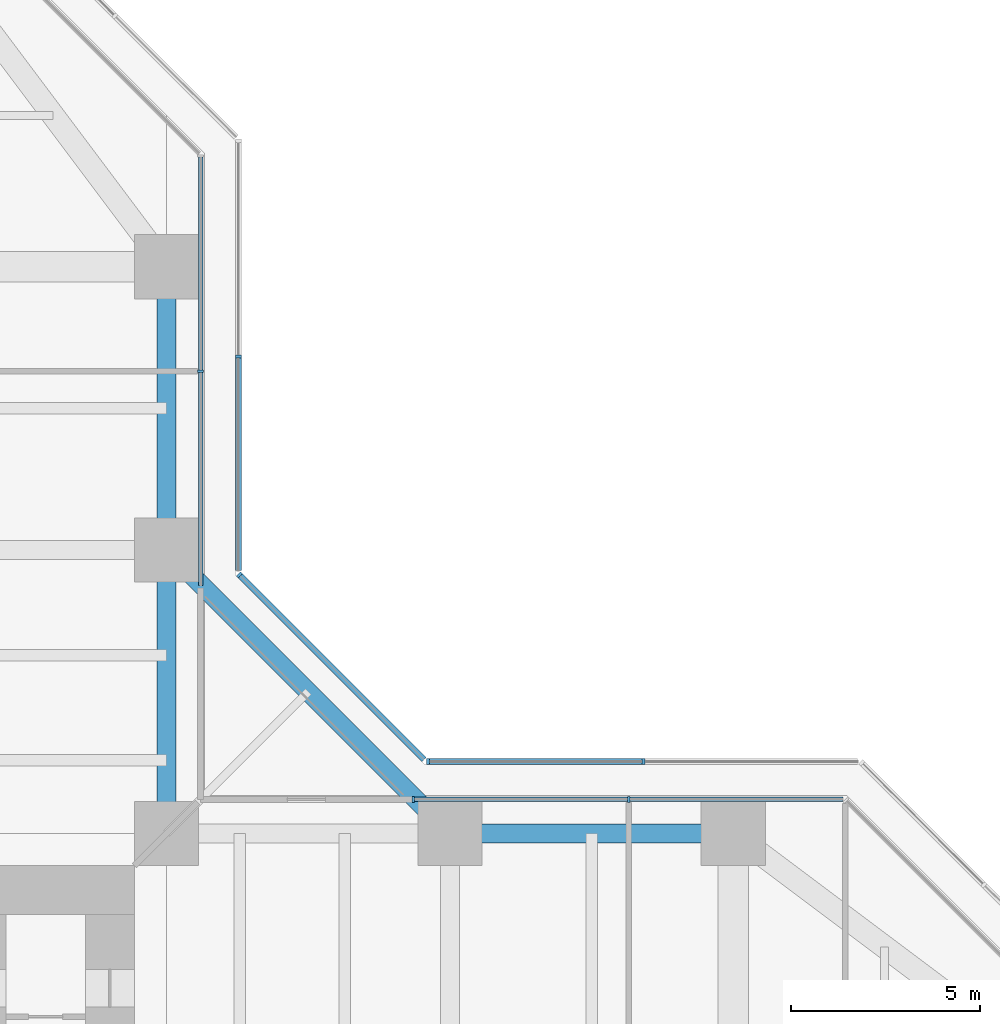
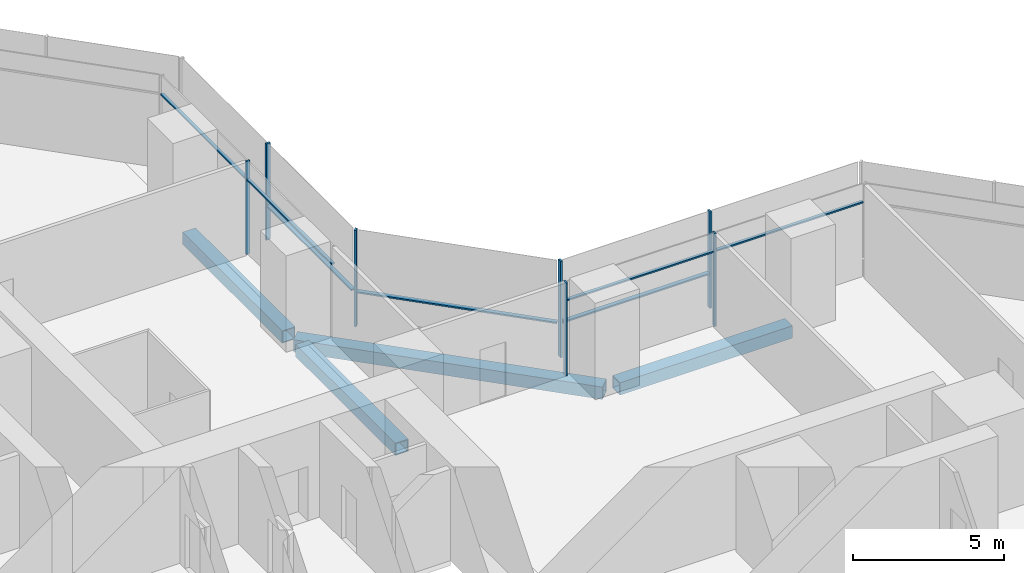
# One storey, part 11 of 22: 14 members, 4 beams, 5 elements without a shape of their own.
"""IFC4 building model written with IfcOpenShell, lengths in metres."""

from ifc_helpers import new_model, si_unit, direction, frame, origin, origin_2d, place, context, subcontext, project, spatial, rectangle, hollow_rectangle, extrude, material, material_profile, profile_set, type_object, element, aggregate, save


model = new_model("IFC4")

# Units and contexts
model_context = context("Model", 3, precision=1e-05, world=origin(), true_north=direction((0.0, 1.0)))
body_context = subcontext(model_context, "Body", "Model", "MODEL_VIEW")
ifc_project = project(units=[si_unit("LENGTHUNIT", "METRE"), si_unit("AREAUNIT", "SQUARE_METRE"), si_unit("VOLUMEUNIT", "CUBIC_METRE"), si_unit("PLANEANGLEUNIT", "RADIAN"), si_unit("MASSUNIT", "GRAM", prefix="KILO")], contexts=[model_context])

# Site, building, storey
site_placement = place(None, origin())
site = spatial("IfcSite", under=ifc_project, at=site_placement, CompositionType="ELEMENT")
building_placement = place(site_placement, origin())
building = spatial("IfcBuilding", under=site, at=building_placement, Name="Mizan Broadcast Tower", CompositionType="ELEMENT")
storey_placement = place(building_placement, frame((0.0, 0.0, 70.800048828125)))
storey = spatial("IfcBuildingStorey", under=building, at=storey_placement, Name="L14", CompositionType="ELEMENT", Elevation=70.800048828125)

# Beams
ifc_material_1 = material(Name="Steel S355", Category="steel")
ifc_material_profile_1 = material_profile(ifc_material_1, hollow_rectangle(XDim=0.5, YDim=0.5, WallThickness=0.030029296875, at=origin_2d()), Name="BOX 500x500x30")
ifc_profile_set_1 = profile_set([ifc_material_profile_1], Name="Steel S355")
beam_type = type_object("IfcBeamType", Name="EDGE BEAM BOX 500x500x30", PredefinedType="SPANDREL", material=ifc_profile_set_1)
for number, where, z_axis, x_axis, name in (
    (1, (19.949951171875, 12.0, -0.380126953125), (1.0, 0.0, 0.0), (0.0, 1.0, 0.0), "Edge beam BOX 500x500x30 L14 east arm"),
    (2, (12.0, 12.449951171875, -0.380126953125), (0.0, 1.0, 0.0), (-1.0, 0.0, 0.0), "Edge beam BOX 500x500x30 L14 north arm"),
    (3, (12.0, 19.949951171875, -0.380126953125), (0.0, 1.0, 0.0), (-1.0, 0.0, 0.0), "Edge beam BOX 500x500x30 L14 north arm"),
):
    element("IfcBeam", number, at=place(storey_placement, frame(where, z_axis=z_axis, x_axis=x_axis)), inside=storey, type_object=beam_type, Name=name, PredefinedType="SPANDREL", context=body_context, shape_type="SweptSolid", body=[
        extrude(hollow_rectangle(XDim=0.5, YDim=0.5, WallThickness=0.030029296875, at=origin_2d()), origin(), (0.0, 0.0, 1.0), 6.60009765625),
    ])
beam_placement = place(storey_placement, frame((19.5, 12.0, -0.380126953125), z_axis=(-0.707106781187, 0.707106781187, 0.0), x_axis=(-0.707106781187, -0.707106781187, 0.0)))
element("IfcBeam", 4, at=beam_placement, inside=storey, type_object=beam_type, Name="Winter garden edge beam L14 E", PredefinedType="SPANDREL", context=body_context, shape_type="SweptSolid", body=[
    extrude(hollow_rectangle(XDim=0.5, YDim=0.5, WallThickness=0.030029296875, at=origin_2d()), origin(), (0.0, 0.0, 1.0), 10.606689453125),
])

# Curtain wall, members
ifc_material_2 = material(Name="Aluminium framed glazing", Category="aluminium")
curtain_wall_type_1 = type_object("IfcCurtainWallType", Name="INNER SKIN LOW ZONE", PredefinedType="USERDEFINED", material=ifc_material_2)
curtain_wall_1_placement = place(storey_placement, origin())
curtain_wall_1 = element("IfcCurtainWall", 5, at=curtain_wall_1_placement, inside=storey, type_object=curtain_wall_type_1, Name="Inner skin low zone L14 E side", ObjectType="INNER SKIN LOW ZONE", PredefinedType="USERDEFINED")
ifc_material_3 = material(Name="Aluminium, pale anodised", Category="aluminium")
ifc_material_profile_2 = material_profile(ifc_material_3, rectangle(XDim=0.159912109375, YDim=0.06005859375, at=origin_2d()), Name="MULLION 160x60")
ifc_profile_set_2 = profile_set([ifc_material_profile_2], Name="Aluminium, pale anodised")
member_type_1 = type_object("IfcMemberType", Name="INNER SKIN MULLION 60x160", PredefinedType="MULLION", material=ifc_profile_set_2)
member_1_placement = place(storey_placement, frame((24.229248046875, 12.89990234375, 0.0), z_axis=(0.0, 0.0, 1.0), x_axis=(0.0, -1.0, 0.0)))
member_1 = element("IfcMember", 6, at=member_1_placement, type_object=member_type_1, Name="Inner skin low zone L14 E side mullion 2", PredefinedType="MULLION", context=body_context, shape_type="SweptSolid", body=[
    extrude(rectangle(XDim=0.159912109375, YDim=0.06005859375, at=origin_2d()), origin(), (0.0, 0.0, 1.0), 3.77001953125),
])
member_2_placement = place(storey_placement, frame((18.530029296875, 12.89990234375, 0.0), z_axis=(0.0, 0.0, 1.0), x_axis=(0.0, -1.0, 0.0)))
member_2 = element("IfcMember", 7, at=member_2_placement, type_object=member_type_1, Name="Inner skin low zone L14 E side mullion 3", PredefinedType="MULLION", context=body_context, shape_type="SweptSolid", body=[
    extrude(rectangle(XDim=0.159912109375, YDim=0.06005859375, at=origin_2d()), origin(), (0.0, 0.0, 1.0), 3.77001953125),
])

# Curtain wall, member
curtain_wall_2_placement = place(storey_placement, origin())
curtain_wall_2 = element("IfcCurtainWall", 8, at=curtain_wall_2_placement, inside=storey, type_object=curtain_wall_type_1, Name="Inner skin low zone L14 N side", ObjectType="INNER SKIN LOW ZONE", PredefinedType="USERDEFINED")
member_3_placement = place(storey_placement, frame((12.89990234375, 24.229248046875, 0.0), z_axis=(0.0, 0.0, 1.0), x_axis=(-1.0, 0.0, 0.0)))
member_3 = element("IfcMember", 9, at=member_3_placement, type_object=member_type_1, Name="Inner skin low zone L14 N side mullion 2", PredefinedType="MULLION", context=body_context, shape_type="SweptSolid", body=[
    extrude(rectangle(XDim=0.159912109375, YDim=0.06005859375, at=origin_2d()), origin(), (0.0, 0.0, 1.0), 3.77001953125),
])

# Member
ifc_material_4 = material(Name="Aluminium, pale anodised", Category="aluminium")
ifc_material_profile_3 = material_profile(ifc_material_4, rectangle(XDim=0.1201171875, YDim=0.06005859375, at=origin_2d()), Name="TRANSOM 120x60")
ifc_profile_set_3 = profile_set([ifc_material_profile_3], Name="Aluminium, pale anodised")
member_type_2 = type_object("IfcMemberType", Name="INNER SKIN TRANSOM 60x120", PredefinedType="USERDEFINED", material=ifc_profile_set_3)
member_4_placement = place(storey_placement, frame((29.898681640625, 12.89990234375, 3.030029296875), z_axis=(-1.0, 0.0, 0.0), x_axis=(0.0, -1.0, 0.0)))
member_4 = element("IfcMember", 10, at=member_4_placement, type_object=member_type_2, Name="Inner skin low zone L14 E side transom 1.1", ObjectType="TRANSOM", PredefinedType="USERDEFINED", context=body_context, shape_type="SweptSolid", body=[
    extrude(rectangle(XDim=0.1201171875, YDim=0.06005859375, at=origin_2d()), origin(), (0.0, 0.0, 1.0), 5.639404296875),
])

member_5_placement = place(storey_placement, frame((24.19921875, 12.89990234375, 3.030029296875), z_axis=(-1.0, 0.0, 0.0), x_axis=(0.0, -1.0, 0.0)))
member_5 = element("IfcMember", 11, at=member_5_placement, type_object=member_type_2, Name="Inner skin low zone L14 E side transom 2.1", ObjectType="TRANSOM", PredefinedType="USERDEFINED", context=body_context, shape_type="SweptSolid", body=[
    extrude(rectangle(XDim=0.1201171875, YDim=0.06005859375, at=origin_2d()), origin(), (0.0, 0.0, 1.0), 5.63916015625),
])

aggregate(curtain_wall_1, [member_1, member_2, member_4, member_5])

member_6_placement = place(storey_placement, frame((12.89990234375, 18.56005859375, 3.030029296875), z_axis=(0.0, 1.0, 0.0), x_axis=(-1.0, 0.0, 0.0)))
member_6 = element("IfcMember", 12, at=member_6_placement, type_object=member_type_2, Name="Inner skin low zone L14 N side transom 1.1", ObjectType="TRANSOM", PredefinedType="USERDEFINED", context=body_context, shape_type="SweptSolid", body=[
    extrude(rectangle(XDim=0.1201171875, YDim=0.06005859375, at=origin_2d()), origin(), (0.0, 0.0, 1.0), 5.63916015625),
])

member_7_placement = place(storey_placement, frame((12.89990234375, 24.25927734375, 3.030029296875), z_axis=(0.0, 1.0, 0.0), x_axis=(-1.0, 0.0, 0.0)))
member_7 = element("IfcMember", 13, at=member_7_placement, type_object=member_type_2, Name="Inner skin low zone L14 N side transom 2.1", ObjectType="TRANSOM", PredefinedType="USERDEFINED", context=body_context, shape_type="SweptSolid", body=[
    extrude(rectangle(XDim=0.1201171875, YDim=0.06005859375, at=origin_2d()), origin(), (0.0, 0.0, 1.0), 5.639404296875),
])

aggregate(curtain_wall_2, [member_3, member_6, member_7])

# Curtain wall, members
ifc_material_5 = material(Name="Aluminium framed glazing", Category="aluminium")
curtain_wall_type_2 = type_object("IfcCurtainWallType", Name="OUTER SKIN", PredefinedType="USERDEFINED", material=ifc_material_5)
curtain_wall_3_placement = place(storey_placement, origin())
curtain_wall_3 = element("IfcCurtainWall", 14, at=curtain_wall_3_placement, inside=storey, type_object=curtain_wall_type_2, Name="Outer skin L14 E side", ObjectType="OUTER SKIN", PredefinedType="USERDEFINED")
ifc_material_6 = material(Name="Aluminium, pale anodised", Category="aluminium")
ifc_material_profile_4 = material_profile(ifc_material_6, rectangle(XDim=0.159912109375, YDim=0.080078125, at=origin_2d()), Name="MULLION 160x80")
ifc_profile_set_4 = profile_set([ifc_material_profile_4], Name="Aluminium, pale anodised")
member_type_3 = type_object("IfcMemberType", Name="OUTER SKIN MULLION 80x160", PredefinedType="MULLION", material=ifc_profile_set_4)
member_8_placement = place(storey_placement, frame((24.622802734375, 13.89990234375, 0.0), z_axis=(0.0, 0.0, 1.0), x_axis=(0.0, -1.0, 0.0)))
member_8 = element("IfcMember", 15, at=member_8_placement, type_object=member_type_3, Name="Outer skin L14 E side mullion 2", PredefinedType="MULLION", context=body_context, shape_type="SweptSolid", body=[
    extrude(rectangle(XDim=0.159912109375, YDim=0.080078125, at=origin_2d()), origin(), (0.0, 0.0, 1.0), 3.89990234375),
])
member_9_placement = place(storey_placement, frame((18.912841796875, 13.89990234375, 0.0), z_axis=(0.0, 0.0, 1.0), x_axis=(0.0, -1.0, 0.0)))
member_9 = element("IfcMember", 16, at=member_9_placement, type_object=member_type_3, Name="Outer skin L14 E side mullion 3", PredefinedType="MULLION", context=body_context, shape_type="SweptSolid", body=[
    extrude(rectangle(XDim=0.159912109375, YDim=0.080078125, at=origin_2d()), origin(), (0.0, 0.0, 1.0), 3.89990234375),
])

# Curtain wall, member
curtain_wall_4_placement = place(storey_placement, origin())
curtain_wall_4 = element("IfcCurtainWall", 17, at=curtain_wall_4_placement, inside=storey, type_object=curtain_wall_type_2, Name="Outer skin L14 E chamfer", ObjectType="OUTER SKIN", PredefinedType="USERDEFINED")
member_10_placement = place(storey_placement, frame((13.92822265625, 18.844482421875, 0.0), z_axis=(0.0, 0.0, 1.0), x_axis=(-0.707106781187, -0.707106781187, 0.0)))
member_10 = element("IfcMember", 18, at=member_10_placement, type_object=member_type_3, Name="Outer skin L14 E chamfer mullion 2", PredefinedType="MULLION", context=body_context, shape_type="SweptSolid", body=[
    extrude(rectangle(XDim=0.159912109375, YDim=0.080078125, at=origin_2d()), origin(), (0.0, 0.0, 1.0), 3.89990234375),
])

curtain_wall_5_placement = place(storey_placement, origin())
curtain_wall_5 = element("IfcCurtainWall", 19, at=curtain_wall_5_placement, inside=storey, type_object=curtain_wall_type_2, Name="Outer skin L14 N side", ObjectType="OUTER SKIN", PredefinedType="USERDEFINED")
member_11_placement = place(storey_placement, frame((13.89990234375, 24.622802734375, 0.0), z_axis=(0.0, 0.0, 1.0), x_axis=(-1.0, 0.0, 0.0)))
member_11 = element("IfcMember", 20, at=member_11_placement, type_object=member_type_3, Name="Outer skin L14 N side mullion 2", PredefinedType="MULLION", context=body_context, shape_type="SweptSolid", body=[
    extrude(rectangle(XDim=0.159912109375, YDim=0.080078125, at=origin_2d()), origin(), (0.0, 0.0, 1.0), 3.89990234375),
])

# Member
ifc_material_7 = material(Name="Aluminium, pale anodised", Category="aluminium")
ifc_material_profile_5 = material_profile(ifc_material_7, rectangle(XDim=0.159912109375, YDim=0.06005859375, at=origin_2d()), Name="TRANSOM 160x60")
ifc_profile_set_5 = profile_set([ifc_material_profile_5], Name="Aluminium, pale anodised")
member_type_4 = type_object("IfcMemberType", Name="OUTER SKIN TRANSOM 60x160", PredefinedType="USERDEFINED", material=ifc_profile_set_5)
member_12_placement = place(storey_placement, frame((24.582763671875, 13.89990234375, 1.39990234375), z_axis=(-1.0, 0.0, 0.0), x_axis=(0.0, -1.0, 0.0)))
member_12 = element("IfcMember", 21, at=member_12_placement, type_object=member_type_4, Name="Outer skin L14 E side transom 2.1", ObjectType="TRANSOM", PredefinedType="USERDEFINED", context=body_context, shape_type="SweptSolid", body=[
    extrude(rectangle(XDim=0.159912109375, YDim=0.06005859375, at=origin_2d()), origin(), (0.0, 0.0, 1.0), 5.6298828125),
])

aggregate(curtain_wall_3, [member_8, member_9, member_12])

member_13_placement = place(storey_placement, frame((18.816162109375, 13.95654296875, 1.39990234375), z_axis=(-0.707106781187, 0.707106781187, 0.0), x_axis=(-0.707106781187, -0.707106781187, 0.0)))
member_13 = element("IfcMember", 22, at=member_13_placement, type_object=member_type_4, Name="Outer skin L14 E chamfer transom 1.1", ObjectType="TRANSOM", PredefinedType="USERDEFINED", context=body_context, shape_type="SweptSolid", body=[
    extrude(rectangle(XDim=0.159912109375, YDim=0.06005859375, at=origin_2d()), origin(), (0.0, 0.0, 1.0), 6.87255859375),
])

aggregate(curtain_wall_4, [member_10, member_13])

member_14_placement = place(storey_placement, frame((13.89990234375, 18.952880859375, 1.39990234375), z_axis=(0.0, 1.0, 0.0), x_axis=(-1.0, 0.0, 0.0)))
member_14 = element("IfcMember", 23, at=member_14_placement, type_object=member_type_4, Name="Outer skin L14 N side transom 1.1", ObjectType="TRANSOM", PredefinedType="USERDEFINED", context=body_context, shape_type="SweptSolid", body=[
    extrude(rectangle(XDim=0.159912109375, YDim=0.06005859375, at=origin_2d()), origin(), (0.0, 0.0, 1.0), 5.6298828125),
])

aggregate(curtain_wall_5, [member_11, member_14])

save(model, "model.ifc")
